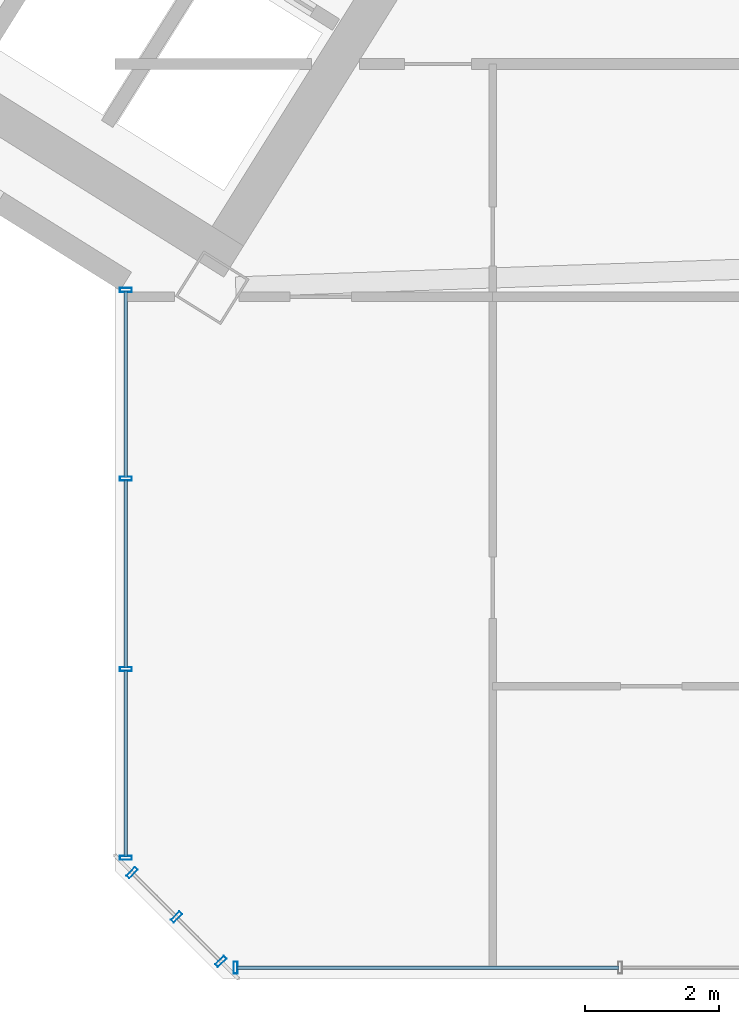
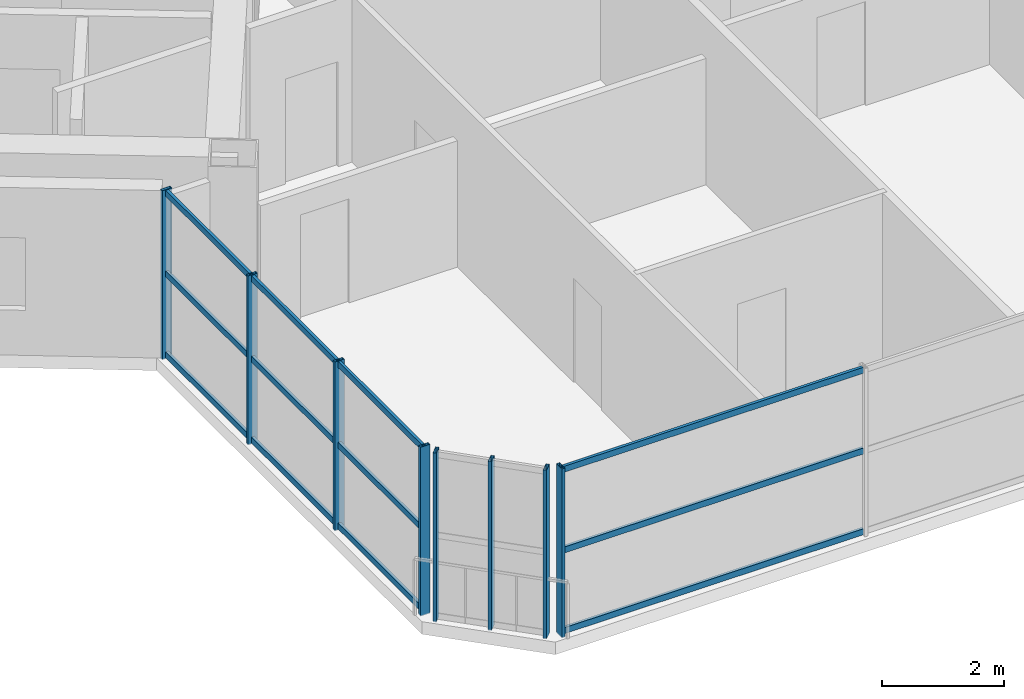
# One storey, part 4 of 20: 20 members, 3 elements without a shape of their own.
"""IFC4 building model written with IfcOpenShell, lengths in metres."""

from ifc_helpers import new_model, si_unit, direction, frame, origin, origin_2d, place, context, subcontext, project, spatial, hollow_rectangle, extrude, source, transform, mapped, material, material_profile, profile_set, type_object, element, aggregate, save


model = new_model("IFC4")

# Units and contexts
model_context = context("Model", 3, precision=1e-05, world=origin(), true_north=direction((0.0, 1.0)))
body_context = subcontext(model_context, "Body", "Model", "MODEL_VIEW")
ifc_project = project(units=[si_unit("LENGTHUNIT", "METRE"), si_unit("AREAUNIT", "SQUARE_METRE"), si_unit("VOLUMEUNIT", "CUBIC_METRE"), si_unit("PLANEANGLEUNIT", "RADIAN"), si_unit("MASSUNIT", "GRAM", prefix="KILO")], contexts=[model_context])

# Site, building, storey
site_placement = place(None, origin())
site = spatial("IfcSite", under=ifc_project, at=site_placement, CompositionType="ELEMENT")
building_placement = place(site_placement, origin())
building = spatial("IfcBuilding", under=site, at=building_placement, Name="Tlacorven Tower", CompositionType="ELEMENT")
storey_placement = place(building_placement, frame((0.0, 0.0, 204.0)))
storey = spatial("IfcBuildingStorey", under=building, at=storey_placement, Name="L51", CompositionType="ELEMENT", Elevation=204.0)

# Curtain wall, member
ifc_material_1 = material(Name="Dark solar low-E double glazing in aluminium frame", Category="aluminium")
curtain_wall_type = type_object("IfcCurtainWallType", Name="CW-TWR-HIGH", PredefinedType="USERDEFINED", material=ifc_material_1)
curtain_wall_1_placement = place(storey_placement, origin())
curtain_wall_1 = element("IfcCurtainWall", 1, at=curtain_wall_1_placement, inside=storey, type_object=curtain_wall_type, Name="L51 CW-TWR-HIGH Curtain Wall 233", ObjectType="UNITISED CURTAIN WALL", PredefinedType="USERDEFINED")
ifc_material_2 = material(Name="Aluminium 6063-T6 anodised", Category="aluminium")
ifc_material_profile_1 = material_profile(ifc_material_2, hollow_rectangle(XDim=0.06005859375, YDim=0.179931640625, WallThickness=0.00390625, at=origin_2d()), Name="ALU MULLION 60X180")
ifc_profile_set_1 = profile_set([ifc_material_profile_1], Name="Aluminium 6063-T6 anodised")
member_type_1 = type_object("IfcMemberType", Name="CWM-03", PredefinedType="MULLION", material=ifc_profile_set_1)
shared_shape_1 = source(origin(), body_context, "Body", "SweptSolid", [
    extrude(hollow_rectangle(XDim=0.06005859375, YDim=0.179931640625, WallThickness=0.00390625, at=origin_2d()), origin(), (0.0, 0.0, 1.0), 3.380126953125),
])
member_1_placement = place(storey_placement, frame((33.396240234375, 1.9599609375, -0.02001953125), z_axis=(0.0, 0.0, 1.0), x_axis=(-1.0, 0.0, 0.0)))
member_1 = element("IfcMember", 2, at=member_1_placement, type_object=member_type_1, Name="CW-L51-233 Mullion 4", PredefinedType="MULLION", context=body_context, shape_type="MappedRepresentation", body=[
    mapped(shared_shape_1, transform((0.0, 0.0, 0.0), scale=1.0)),
])

# Curtain wall, members
curtain_wall_2_placement = place(storey_placement, origin())
curtain_wall_2 = element("IfcCurtainWall", 3, at=curtain_wall_2_placement, inside=storey, type_object=curtain_wall_type, Name="L51 CW-TWR-HIGH Curtain Wall 234", ObjectType="UNITISED CURTAIN WALL", PredefinedType="USERDEFINED")
member_2_placement = place(storey_placement, frame((33.17431640625, 2.052001953125, -0.02001953125), z_axis=(0.0, 0.0, 1.0), x_axis=(-0.707106781187, 0.707106781187, 0.0)))
member_2 = element("IfcMember", 4, at=member_2_placement, type_object=member_type_1, Name="CW-L51-234 Mullion 1", PredefinedType="MULLION", context=body_context, shape_type="MappedRepresentation", body=[
    mapped(shared_shape_1, transform((0.0, 0.0, 0.0), scale=1.0)),
])
member_3_placement = place(storey_placement, frame((32.51318359375, 2.713134765625, -0.02001953125), z_axis=(0.0, 0.0, 1.0), x_axis=(-0.707106781187, 0.707106781187, 0.0)))
member_3 = element("IfcMember", 5, at=member_3_placement, type_object=member_type_1, Name="CW-L51-234 Mullion 2", PredefinedType="MULLION", context=body_context, shape_type="MappedRepresentation", body=[
    mapped(shared_shape_1, transform((0.0, 0.0, 0.0), scale=1.0)),
])
member_4_placement = place(storey_placement, frame((31.851806640625, 3.374267578125, -0.02001953125), z_axis=(0.0, 0.0, 1.0), x_axis=(-0.707106781187, 0.707106781187, 0.0)))
member_4 = element("IfcMember", 6, at=member_4_placement, type_object=member_type_1, Name="CW-L51-234 Mullion 3", PredefinedType="MULLION", context=body_context, shape_type="MappedRepresentation", body=[
    mapped(shared_shape_1, transform((0.0, 0.0, 0.0), scale=1.0)),
])
aggregate(curtain_wall_2, [member_2, member_3, member_4])

curtain_wall_3_placement = place(storey_placement, origin())
curtain_wall_3 = element("IfcCurtainWall", 7, at=curtain_wall_3_placement, inside=storey, type_object=curtain_wall_type, Name="L51 CW-TWR-HIGH Curtain Wall 235", ObjectType="UNITISED CURTAIN WALL", PredefinedType="USERDEFINED")
member_5_placement = place(storey_placement, frame((31.760009765625, 3.59619140625, -0.02001953125), z_axis=(0.0, 0.0, 1.0), x_axis=(0.0, 1.0, 0.0)))
member_5 = element("IfcMember", 8, at=member_5_placement, type_object=member_type_1, Name="CW-L51-235 Mullion 1", PredefinedType="MULLION", context=body_context, shape_type="MappedRepresentation", body=[
    mapped(shared_shape_1, transform((0.0, 0.0, 0.0), scale=1.0)),
])
member_6_placement = place(storey_placement, frame((31.760009765625, 6.4052734375, -0.02001953125), z_axis=(0.0, 0.0, 1.0), x_axis=(0.0, 1.0, 0.0)))
member_6 = element("IfcMember", 9, at=member_6_placement, type_object=member_type_1, Name="CW-L51-235 Mullion 2", PredefinedType="MULLION", context=body_context, shape_type="MappedRepresentation", body=[
    mapped(shared_shape_1, transform((0.0, 0.0, 0.0), scale=1.0)),
])
member_7_placement = place(storey_placement, frame((31.760009765625, 9.244140625, -0.02001953125), z_axis=(0.0, 0.0, 1.0), x_axis=(0.0, 1.0, 0.0)))
member_7 = element("IfcMember", 10, at=member_7_placement, type_object=member_type_1, Name="CW-L51-235 Mullion 3", PredefinedType="MULLION", context=body_context, shape_type="MappedRepresentation", body=[
    mapped(shared_shape_1, transform((0.0, 0.0, 0.0), scale=1.0)),
])
member_8_placement = place(storey_placement, frame((31.760009765625, 12.052978515625, -0.02001953125), z_axis=(0.0, 0.0, 1.0), x_axis=(0.0, 1.0, 0.0)))
member_8 = element("IfcMember", 11, at=member_8_placement, type_object=member_type_1, Name="CW-L51-235 Mullion 4", PredefinedType="MULLION", context=body_context, shape_type="MappedRepresentation", body=[
    mapped(shared_shape_1, transform((0.0, 0.0, 0.0), scale=1.0)),
])

# Member
ifc_material_profile_2 = material_profile(ifc_material_2, hollow_rectangle(XDim=0.054931640625, YDim=0.1201171875, WallThickness=0.00341796875, at=origin_2d()), Name="ALU TRANSOM 55X120")
ifc_profile_set_2 = profile_set([ifc_material_profile_2], Name="Aluminium 6063-T6 anodised")
member_type_2 = type_object("IfcMemberType", Name="CWT-03", PredefinedType="USERDEFINED", material=ifc_profile_set_2)
shared_shape_2 = source(origin(), body_context, "Body", "SweptSolid", [
    extrude(hollow_rectangle(XDim=0.054931640625, YDim=0.1201171875, WallThickness=0.00341796875, at=origin_2d()), origin(), (0.0, 0.0, 1.0), 5.689697265625),
])
member_9_placement = place(storey_placement, frame((39.10400390625, 1.9599609375, 0.06005859375), z_axis=(-1.0, 0.0, 0.0), x_axis=(0.0, -1.0, 0.0)))
member_9 = element("IfcMember", 12, at=member_9_placement, type_object=member_type_2, Name="CW-L51-233 Transom 7", ObjectType="TRANSOM", PredefinedType="USERDEFINED", context=body_context, shape_type="MappedRepresentation", body=[
    mapped(shared_shape_2, transform((0.0, 0.0, 0.0), scale=1.0)),
])

member_10_placement = place(storey_placement, frame((39.10400390625, 1.9599609375, 1.675048828125), z_axis=(-1.0, 0.0, 0.0), x_axis=(0.0, -1.0, 0.0)))
member_10 = element("IfcMember", 13, at=member_10_placement, type_object=member_type_2, Name="CW-L51-233 Transom 8", ObjectType="TRANSOM", PredefinedType="USERDEFINED", context=body_context, shape_type="MappedRepresentation", body=[
    mapped(shared_shape_2, transform((0.0, 0.0, 0.0), scale=1.0)),
])

member_11_placement = place(storey_placement, frame((39.10400390625, 1.9599609375, 3.2900390625), z_axis=(-1.0, 0.0, 0.0), x_axis=(0.0, -1.0, 0.0)))
member_11 = element("IfcMember", 14, at=member_11_placement, type_object=member_type_2, Name="CW-L51-233 Transom 9", ObjectType="TRANSOM", PredefinedType="USERDEFINED", context=body_context, shape_type="MappedRepresentation", body=[
    mapped(shared_shape_2, transform((0.0, 0.0, 0.0), scale=1.0)),
])

aggregate(curtain_wall_1, [member_1, member_9, member_10, member_11])

shared_shape_3 = source(origin(), body_context, "Body", "SweptSolid", [
    extrude(hollow_rectangle(XDim=0.054931640625, YDim=0.1201171875, WallThickness=0.00341796875, at=origin_2d()), origin(), (0.0, 0.0, 1.0), 2.77294921875),
])
member_12_placement = place(storey_placement, frame((31.760009765625, 3.6142578125, 0.06005859375), z_axis=(0.0, 1.0, 0.0), x_axis=(-1.0, 0.0, 0.0)))
member_12 = element("IfcMember", 15, at=member_12_placement, type_object=member_type_2, Name="CW-L51-235 Transom 1", ObjectType="TRANSOM", PredefinedType="USERDEFINED", context=body_context, shape_type="MappedRepresentation", body=[
    mapped(shared_shape_3, transform((0.0, 0.0, 0.0), scale=1.0)),
])

member_13_placement = place(storey_placement, frame((31.760009765625, 3.6142578125, 1.675048828125), z_axis=(0.0, 1.0, 0.0), x_axis=(-1.0, 0.0, 0.0)))
member_13 = element("IfcMember", 16, at=member_13_placement, type_object=member_type_2, Name="CW-L51-235 Transom 2", ObjectType="TRANSOM", PredefinedType="USERDEFINED", context=body_context, shape_type="MappedRepresentation", body=[
    mapped(shared_shape_3, transform((0.0, 0.0, 0.0), scale=1.0)),
])

member_14_placement = place(storey_placement, frame((31.760009765625, 3.6142578125, 3.2900390625), z_axis=(0.0, 1.0, 0.0), x_axis=(-1.0, 0.0, 0.0)))
member_14 = element("IfcMember", 17, at=member_14_placement, type_object=member_type_2, Name="CW-L51-235 Transom 3", ObjectType="TRANSOM", PredefinedType="USERDEFINED", context=body_context, shape_type="MappedRepresentation", body=[
    mapped(shared_shape_3, transform((0.0, 0.0, 0.0), scale=1.0)),
])

member_15_placement = place(storey_placement, frame((31.760009765625, 9.26220703125, 0.06005859375), z_axis=(0.0, 1.0, 0.0), x_axis=(-1.0, 0.0, 0.0)))
member_15 = element("IfcMember", 18, at=member_15_placement, type_object=member_type_2, Name="CW-L51-235 Transom 7", ObjectType="TRANSOM", PredefinedType="USERDEFINED", context=body_context, shape_type="MappedRepresentation", body=[
    mapped(shared_shape_3, transform((0.0, 0.0, 0.0), scale=1.0)),
])

member_16_placement = place(storey_placement, frame((31.760009765625, 9.26220703125, 1.675048828125), z_axis=(0.0, 1.0, 0.0), x_axis=(-1.0, 0.0, 0.0)))
member_16 = element("IfcMember", 19, at=member_16_placement, type_object=member_type_2, Name="CW-L51-235 Transom 8", ObjectType="TRANSOM", PredefinedType="USERDEFINED", context=body_context, shape_type="MappedRepresentation", body=[
    mapped(shared_shape_3, transform((0.0, 0.0, 0.0), scale=1.0)),
])

member_17_placement = place(storey_placement, frame((31.760009765625, 9.26220703125, 3.2900390625), z_axis=(0.0, 1.0, 0.0), x_axis=(-1.0, 0.0, 0.0)))
member_17 = element("IfcMember", 20, at=member_17_placement, type_object=member_type_2, Name="CW-L51-235 Transom 9", ObjectType="TRANSOM", PredefinedType="USERDEFINED", context=body_context, shape_type="MappedRepresentation", body=[
    mapped(shared_shape_3, transform((0.0, 0.0, 0.0), scale=1.0)),
])

shared_shape_4 = source(origin(), body_context, "Body", "SweptSolid", [
    extrude(hollow_rectangle(XDim=0.054931640625, YDim=0.1201171875, WallThickness=0.00341796875, at=origin_2d()), origin(), (0.0, 0.0, 1.0), 2.802978515625),
])
member_18_placement = place(storey_placement, frame((31.760009765625, 6.423095703125, 0.06005859375), z_axis=(0.0, 1.0, 0.0), x_axis=(-1.0, 0.0, 0.0)))
member_18 = element("IfcMember", 21, at=member_18_placement, type_object=member_type_2, Name="CW-L51-235 Transom 4", ObjectType="TRANSOM", PredefinedType="USERDEFINED", context=body_context, shape_type="MappedRepresentation", body=[
    mapped(shared_shape_4, transform((0.0, 0.0, 0.0), scale=1.0)),
])

member_19_placement = place(storey_placement, frame((31.760009765625, 6.423095703125, 1.675048828125), z_axis=(0.0, 1.0, 0.0), x_axis=(-1.0, 0.0, 0.0)))
member_19 = element("IfcMember", 22, at=member_19_placement, type_object=member_type_2, Name="CW-L51-235 Transom 5", ObjectType="TRANSOM", PredefinedType="USERDEFINED", context=body_context, shape_type="MappedRepresentation", body=[
    mapped(shared_shape_4, transform((0.0, 0.0, 0.0), scale=1.0)),
])

member_20_placement = place(storey_placement, frame((31.760009765625, 6.423095703125, 3.2900390625), z_axis=(0.0, 1.0, 0.0), x_axis=(-1.0, 0.0, 0.0)))
member_20 = element("IfcMember", 23, at=member_20_placement, type_object=member_type_2, Name="CW-L51-235 Transom 6", ObjectType="TRANSOM", PredefinedType="USERDEFINED", context=body_context, shape_type="MappedRepresentation", body=[
    mapped(shared_shape_4, transform((0.0, 0.0, 0.0), scale=1.0)),
])

aggregate(curtain_wall_3, [member_5, member_6, member_7, member_8, member_12, member_13, member_14, member_18, member_19, member_20, member_15, member_16, member_17])

save(model, "model.ifc")
